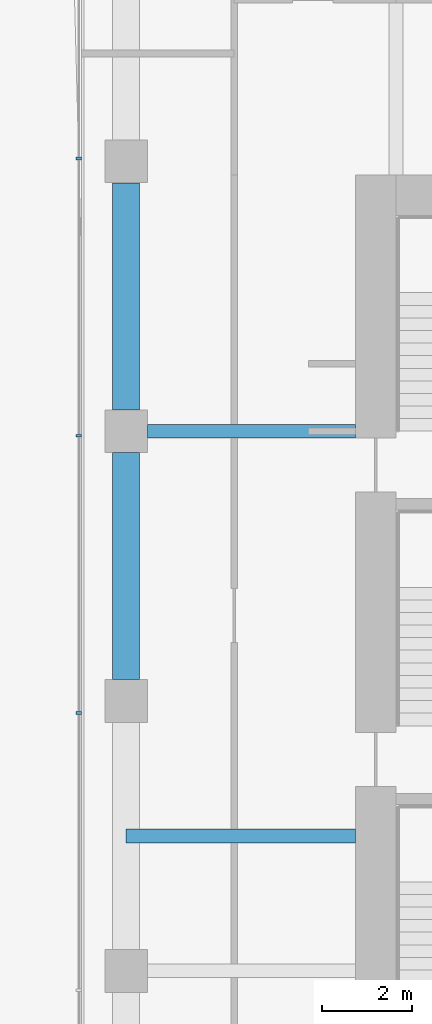
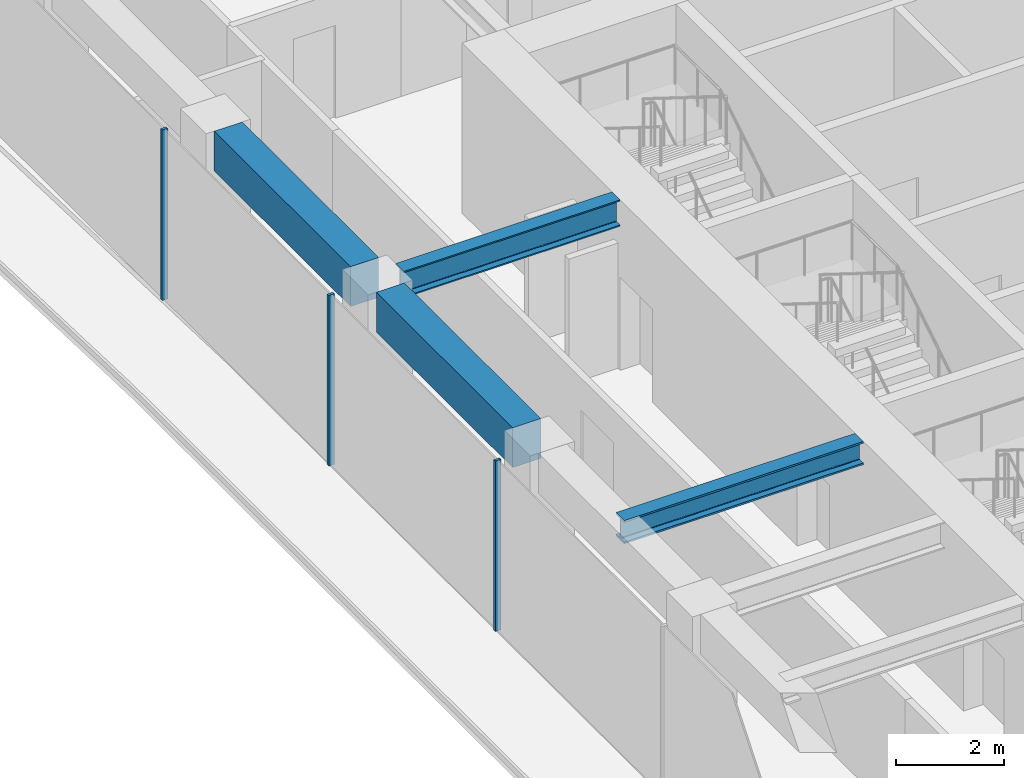
# One storey, part 5 of 29: 4 beams, 3 members, 1 element without a shape of its own.
"""IFC4 building model written with IfcOpenShell, lengths in metres."""

from ifc_helpers import new_model, si_unit, direction, frame, origin, origin_2d, place, context, subcontext, project, spatial, rectangle, i_section, extrude, material, layer, layer_set, material_profile, profile_set, type_object, element, aggregate, save


model = new_model("IFC4")

# Units and contexts
model_context = context("Model", 3, precision=1e-05, world=origin(), true_north=direction((0.0, 1.0)))
body_context = subcontext(model_context, "Body", "Model", "MODEL_VIEW")
ifc_project = project(units=[si_unit("LENGTHUNIT", "METRE"), si_unit("AREAUNIT", "SQUARE_METRE"), si_unit("VOLUMEUNIT", "CUBIC_METRE"), si_unit("PLANEANGLEUNIT", "RADIAN"), si_unit("MASSUNIT", "GRAM", prefix="KILO")], contexts=[model_context])

# Site, building, storey
site_placement = place(None, origin())
site = spatial("IfcSite", under=ifc_project, at=site_placement, CompositionType="ELEMENT")
building_placement = place(site_placement, origin())
building = spatial("IfcBuilding", under=site, at=building_placement, Name="Welwitschia Terrace Campus", CompositionType="ELEMENT")
storey_placement = place(building_placement, frame((0.0, 0.0, 58.39990234375)))
storey = spatial("IfcBuildingStorey", under=building, at=storey_placement, Name="L13", CompositionType="ELEMENT", Elevation=58.39990234375)

# Beam
ifc_material_1 = material(Name="Steel S355", Category="steel")
ifc_material_profile_1 = material_profile(ifc_material_1, i_section(OverallWidth=0.305908203125, OverallDepth=0.52392578125, WebThickness=0.02099609375, FlangeThickness=0.0400390625, FilletRadius=0.027099609375, at=origin_2d()))
ifc_profile_set_1 = profile_set([ifc_material_profile_1], Name="Steel S355")
beam_type_1 = type_object("IfcBeamType", Name="Interior girder HE 500 M", PredefinedType="BEAM", material=ifc_profile_set_1)
beam_1_placement = place(storey_placement, frame((-0.010009765625, 11.0, 3.588134765625), z_axis=(1.0, 0.0, 0.0), x_axis=(0.0, 1.0, 0.0)))
element("IfcBeam", 1, at=beam_1_placement, inside=storey, type_object=beam_type_1, Name="Girder GB2", PredefinedType="BEAM", context=body_context, shape_type="SweptSolid", body=[
    extrude(i_section(OverallWidth=0.305908203125, OverallDepth=0.52392578125, WebThickness=0.02099609375, FlangeThickness=0.0400390625, FilletRadius=0.027099609375, at=origin_2d()), origin(), (0.0, 0.0, 1.0), 5.109130859375),
])

# Curtain wall, members
ifc_material_2 = material(Name="Bronze anodised aluminium", Category="aluminium")
ifc_layer = layer(ifc_material_2, 0.1201171875)
ifc_layer_set = layer_set([ifc_layer], Name="Bronze anodised aluminium")
curtain_wall_type = type_object("IfcCurtainWallType", Name="Curtain wall CW2 tower 6000", PredefinedType="NOTDEFINED", material=ifc_layer_set)
curtain_wall_placement = place(storey_placement, origin())
curtain_wall = element("IfcCurtainWall", 2, at=curtain_wall_placement, inside=storey, type_object=curtain_wall_type, Name="CW L13.12.0", PredefinedType="NOTDEFINED")
ifc_material_3 = material(Name="Bronze anodised aluminium", Category="aluminium")
ifc_material_profile_2 = material_profile(ifc_material_3, rectangle(XDim=0.1201171875, YDim=0.06005859375, at=origin_2d()))
ifc_profile_set_2 = profile_set([ifc_material_profile_2], Name="Bronze anodised aluminium")
member_type = type_object("IfcMemberType", Name="Mullion 60x120", PredefinedType="MULLION", material=ifc_profile_set_2)
member_1_placement = place(storey_placement, frame((-1.05810546875, 26.064208984375, 0.0), z_axis=(0.0, 0.0, 1.0), x_axis=(1.0, 0.0, 0.0)))
member_1 = element("IfcMember", 3, at=member_1_placement, type_object=member_type, Name="Mullion L13.12.0.6", PredefinedType="MULLION", context=body_context, shape_type="SweptSolid", body=[
    extrude(rectangle(XDim=0.1201171875, YDim=0.06005859375, at=origin_2d()), origin(), (0.0, 0.0, 1.0), 3.85009765625),
])
member_2_placement = place(storey_placement, frame((-1.05810546875, 19.898681640625, 0.0), z_axis=(0.0, 0.0, 1.0), x_axis=(1.0, 0.0, 0.0)))
member_2 = element("IfcMember", 4, at=member_2_placement, type_object=member_type, Name="Mullion L13.12.0.7", PredefinedType="MULLION", context=body_context, shape_type="SweptSolid", body=[
    extrude(rectangle(XDim=0.1201171875, YDim=0.06005859375, at=origin_2d()), origin(), (0.0, 0.0, 1.0), 3.85009765625),
])
member_3_placement = place(storey_placement, frame((-1.05810546875, 13.73291015625, 0.0), z_axis=(0.0, 0.0, 1.0), x_axis=(1.0, 0.0, 0.0)))
member_3 = element("IfcMember", 5, at=member_3_placement, type_object=member_type, Name="Mullion L13.12.0.8", PredefinedType="MULLION", context=body_context, shape_type="SweptSolid", body=[
    extrude(rectangle(XDim=0.1201171875, YDim=0.06005859375, at=origin_2d()), origin(), (0.0, 0.0, 1.0), 3.85009765625),
])
aggregate(curtain_wall, [member_1, member_2, member_3])

# Beams
ifc_material_4 = material(Name="Steel S355", Category="steel")
ifc_material_profile_3 = material_profile(ifc_material_4, i_section(OverallWidth=0.300048828125, OverallDepth=0.60009765625, WebThickness=0.015380859375, FlangeThickness=0.030029296875, FilletRadius=0.027099609375, at=origin_2d()))
ifc_profile_set_3 = profile_set([ifc_material_profile_3], Name="Steel S355")
beam_type_2 = type_object("IfcBeamType", Name="Primary beam HE 600 B", PredefinedType="BEAM", material=ifc_profile_set_3)
beam_2_placement = place(storey_placement, frame((0.4755859375, 20.0, 3.550048828125), z_axis=(1.0, 0.0, 0.0), x_axis=(0.0, 1.0, 0.0)))
element("IfcBeam", 6, at=beam_2_placement, inside=storey, type_object=beam_type_2, Name="Primary beam PB2", PredefinedType="BEAM", context=body_context, shape_type="SweptSolid", body=[
    extrude(i_section(OverallWidth=0.300048828125, OverallDepth=0.60009765625, WebThickness=0.015380859375, FlangeThickness=0.030029296875, FilletRadius=0.027099609375, at=origin_2d()), origin(), (0.0, 0.0, 1.0), 4.62451171875),
])
ifc_material_5 = material(Name="Concrete C60/75", Category="concrete")
ifc_material_profile_4 = material_profile(ifc_material_5, rectangle(XDim=0.60009765625, YDim=0.89990234375, at=origin_2d()))
ifc_profile_set_4 = profile_set([ifc_material_profile_4], Name="Concrete C60/75")
beam_type_3 = type_object("IfcBeamType", Name="Ring spandrel 600x900", PredefinedType="SPANDREL", material=ifc_profile_set_4)
for number, where, z_axis, x_axis, name in (
    (7, (0.0, 25.5244140625, 3.400146484375), (0.0, -1.0, 0.0), (1.0, 0.0, 0.0), "Spandrel SP2"),
    (8, (0.0, 19.5244140625, 3.400146484375), (0.0, -1.0, 0.0), (1.0, 0.0, 0.0), "Spandrel SP2"),
):
    element("IfcBeam", number, at=place(storey_placement, frame(where, z_axis=z_axis, x_axis=x_axis)), inside=storey, type_object=beam_type_3, Name=name, PredefinedType="SPANDREL", context=body_context, shape_type="SweptSolid", body=[
        extrude(rectangle(XDim=0.60009765625, YDim=0.89990234375, at=origin_2d()), origin(), (0.0, 0.0, 1.0), 5.048828125),
    ])

save(model, "model.ifc")
